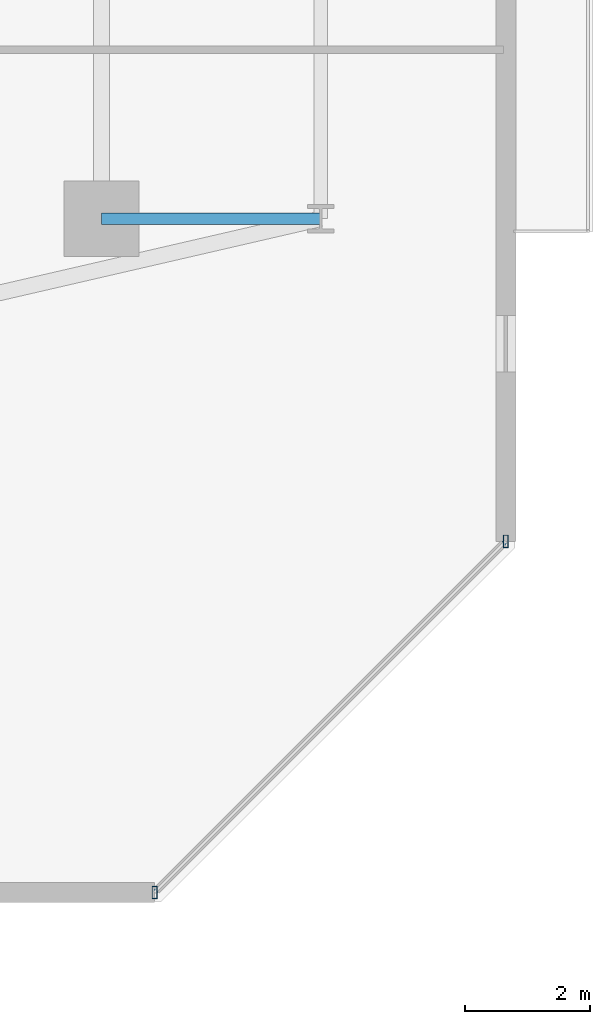
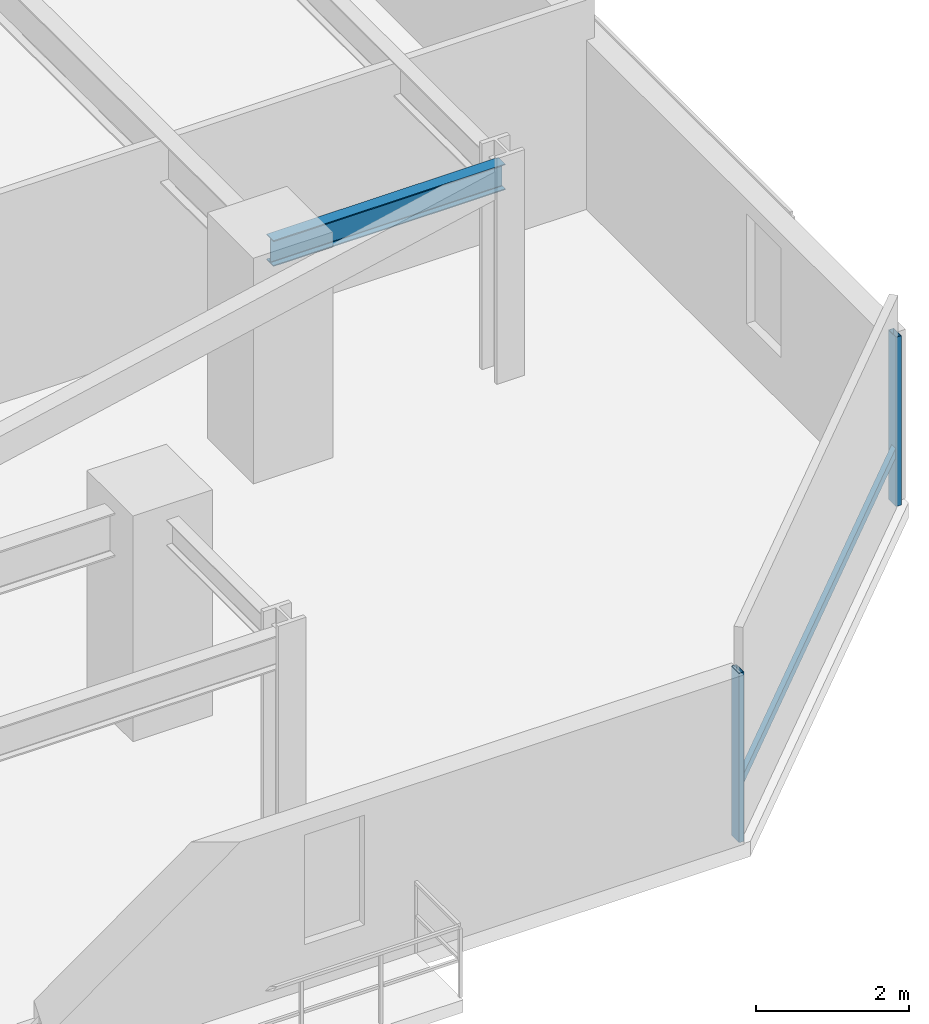
# One storey, part 12 of 31: 3 members, 1 beam, 1 element without a shape of its own.
"""IFC4 building model written with IfcOpenShell, lengths in metres."""

from ifc_helpers import new_model, si_unit, direction, frame, origin, origin_2d, place, context, subcontext, project, spatial, hollow_rectangle, i_section, extrude, material, material_profile, profile_set, type_object, element, aggregate, save


model = new_model("IFC4")

# Units and contexts
model_context = context("Model", 3, precision=1e-05, world=origin(), true_north=direction((0.0, 1.0)))
body_context = subcontext(model_context, "Body", "Model", "MODEL_VIEW")
ifc_project = project(units=[si_unit("LENGTHUNIT", "METRE"), si_unit("AREAUNIT", "SQUARE_METRE"), si_unit("VOLUMEUNIT", "CUBIC_METRE"), si_unit("PLANEANGLEUNIT", "RADIAN"), si_unit("MASSUNIT", "GRAM", prefix="KILO")], contexts=[model_context])

# Site, building, storey
site_placement = place(None, origin())
site = spatial("IfcSite", under=ifc_project, at=site_placement, CompositionType="ELEMENT")
building_placement = place(site_placement, origin())
building = spatial("IfcBuilding", under=site, at=building_placement, Name="Thornwick Lancets Civic Towers", CompositionType="ELEMENT")
storey_placement = place(building_placement, frame((0.0, 0.0, 126.89990234375)))
storey = spatial("IfcBuildingStorey", under=building, at=storey_placement, Name="L33", CompositionType="ELEMENT", Elevation=126.89990234375)

# Beam
ifc_material_1 = material(Name="Steel S355JR", Category="steel")
ifc_material_profile_1 = material_profile(ifc_material_1, i_section(OverallWidth=0.179443359375, OverallDepth=0.412841796875, WebThickness=0.009521484375, FlangeThickness=0.01611328125, FilletRadius=0.01025390625, at=origin_2d()), Name="UKB 406x178x74")
ifc_profile_set_1 = profile_set([ifc_material_profile_1], Name="Steel S355JR")
beam_type = type_object("IfcBeamType", Name="BM_JOIST_406_74", PredefinedType="JOIST", material=ifc_profile_set_1)
beam_placement = place(storey_placement, frame((105.800048828125, 14.0, 3.15380859375), z_axis=(1.0, 0.0, 0.0), x_axis=(0.0, 1.0, 0.0)))
element("IfcBeam", 1, at=beam_placement, inside=storey, type_object=beam_type, Name="BM-RAD-L33-B01", PredefinedType="JOIST", context=body_context, shape_type="SweptSolid", body=[
    extrude(i_section(OverallWidth=0.179443359375, OverallDepth=0.412841796875, WebThickness=0.009521484375, FlangeThickness=0.01611328125, FilletRadius=0.01025390625, at=origin_2d()), origin(), (0.0, 0.0, 1.0), 3.5),
])

# Curtain wall, members
ifc_material_2 = material(Name="Mid-zone chamfered-corner unitised glass curtain wall", Category="glass")
curtain_wall_type = type_object("IfcCurtainWallType", Name="CW_SYS_04", PredefinedType="NOTDEFINED", material=ifc_material_2)
curtain_wall_placement = place(storey_placement, origin())
curtain_wall = element("IfcCurtainWall", 2, at=curtain_wall_placement, inside=storey, type_object=curtain_wall_type, Name="L33 Curtain Wall CW-L33-B-E1", PredefinedType="NOTDEFINED")
ifc_material_3 = material(Name="Thermally broken bronze aluminium S355", Category="steel")
ifc_material_profile_2 = material_profile(ifc_material_3, hollow_rectangle(XDim=0.080078125, YDim=0.199951171875, WallThickness=0.006103515625, at=origin_2d()), Name="RHS 200x80x6")
ifc_profile_set_2 = profile_set([ifc_material_profile_2], Name="Thermally broken bronze aluminium S355")
member_type_1 = type_object("IfcMemberType", Name="CW_MUL_200", PredefinedType="MULLION", material=ifc_profile_set_2)
member_1_placement = place(storey_placement, frame((106.64794921875, 3.245361328125, 0.0), z_axis=(0.0, 0.0, 1.0), x_axis=(1.0, 0.0, 0.0)))
member_1 = element("IfcMember", 3, at=member_1_placement, type_object=member_type_1, Name="CW-L33-B-E1 Mullion 0", PredefinedType="MULLION", context=body_context, shape_type="SweptSolid", body=[
    extrude(hollow_rectangle(XDim=0.080078125, YDim=0.199951171875, WallThickness=0.006103515625, at=origin_2d()), origin(), (0.0, 0.0, 1.0), 2.7001953125),
])
member_2_placement = place(storey_placement, frame((112.254638671875, 8.85205078125, 0.0), z_axis=(0.0, 0.0, 1.0), x_axis=(1.0, 0.0, 0.0)))
member_2 = element("IfcMember", 4, at=member_2_placement, type_object=member_type_1, Name="CW-L33-B-E1 Mullion 1", PredefinedType="MULLION", context=body_context, shape_type="SweptSolid", body=[
    extrude(hollow_rectangle(XDim=0.080078125, YDim=0.199951171875, WallThickness=0.006103515625, at=origin_2d()), origin(), (0.0, 0.0, 1.0), 2.7001953125),
])
ifc_material_profile_3 = material_profile(ifc_material_3, hollow_rectangle(XDim=0.074951171875, YDim=0.14990234375, WallThickness=0.0048828125, at=origin_2d()), Name="RHS 150x75x5")
ifc_profile_set_3 = profile_set([ifc_material_profile_3], Name="Thermally broken bronze aluminium S355")
member_type_2 = type_object("IfcMemberType", Name="CW_TRN_150", PredefinedType="USERDEFINED", material=ifc_profile_set_3)
member_3_placement = place(storey_placement, frame((106.662109375, 3.259521484375, 0.85009765625), z_axis=(0.707106781187, 0.707106781187, 0.0), x_axis=(-0.707106781187, 0.707106781187, 0.0)))
member_3 = element("IfcMember", 5, at=member_3_placement, type_object=member_type_2, Name="CW-L33-B-E1 Transom 0", ObjectType="TRANSOM", PredefinedType="USERDEFINED", context=body_context, shape_type="SweptSolid", body=[
    extrude(hollow_rectangle(XDim=0.074951171875, YDim=0.14990234375, WallThickness=0.0048828125, at=origin_2d()), origin(), (0.0, 0.0, 1.0), 7.888916015625),
])
aggregate(curtain_wall, [member_1, member_2, member_3])

save(model, "model.ifc")
